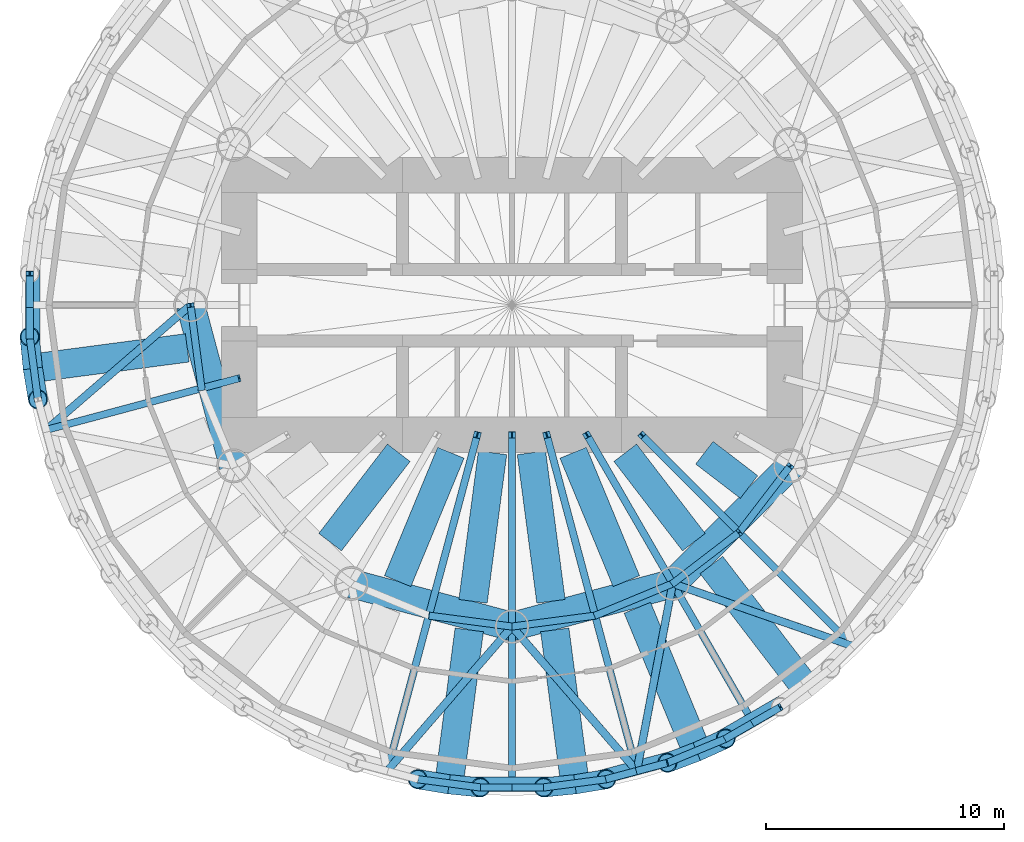
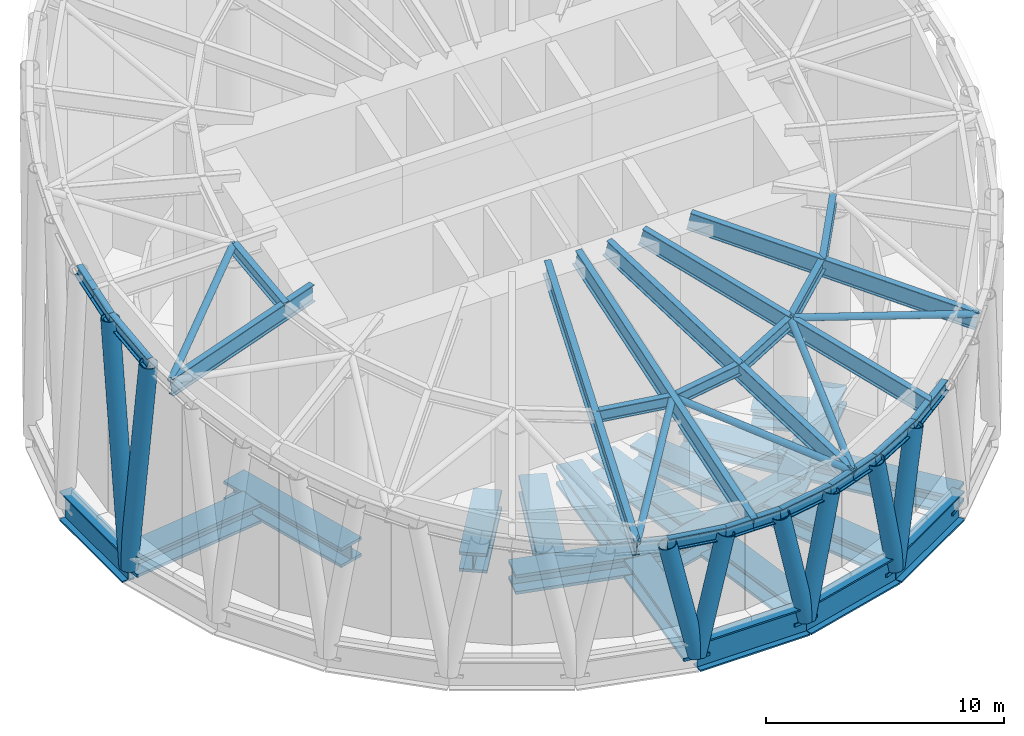
# One storey, part 2 of 9: 44 beams, 13 members.
"""IFC4 building model written with IfcOpenShell, lengths in metres."""

from ifc_helpers import new_model, si_unit, direction, frame, origin, origin_2d, place, context, subcontext, project, spatial, hollow_circle, i_section, extrude, material, material_profile, profile_set, type_object, element, save


model = new_model("IFC4")

# Units and contexts
model_context = context("Model", 3, precision=1e-05, world=origin(), true_north=direction((0.0, 1.0)))
body_context = subcontext(model_context, "Body", "Model", "MODEL_VIEW")
ifc_project = project(units=[si_unit("LENGTHUNIT", "METRE"), si_unit("AREAUNIT", "SQUARE_METRE"), si_unit("VOLUMEUNIT", "CUBIC_METRE"), si_unit("PLANEANGLEUNIT", "RADIAN"), si_unit("MASSUNIT", "GRAM", prefix="KILO")], contexts=[model_context])

# Site, building, storey
site_placement = place(None, origin())
site = spatial("IfcSite", under=ifc_project, at=site_placement, CompositionType="ELEMENT")
building_placement = place(site_placement, origin())
building = spatial("IfcBuilding", under=site, at=building_placement, Name="Qaws Media Tower", CompositionType="ELEMENT")
storey_placement = place(building_placement, frame((0.0, 0.0, 286.39990234375)))
storey = spatial("IfcBuildingStorey", under=building, at=storey_placement, Name="L66", CompositionType="ELEMENT", Elevation=286.39990234375)

# Members
ifc_material_1 = material(Name="Steel S355", Category="steel")
ifc_material_profile_1 = material_profile(ifc_material_1, hollow_circle(Radius=0.406494140625, WallThickness=0.0400390625, at=origin_2d()), Name="CHS 813x40")
ifc_profile_set_1 = profile_set([ifc_material_profile_1], Name="Steel S355")
member_type_1 = type_object("IfcMemberType", Name="Crown diagrid member CHS 813x40", PredefinedType="USERDEFINED", material=ifc_profile_set_1)
member_1_placement = place(storey_placement, frame((39.873779296875, 47.350341796875, -1.0), z_axis=(0.019265030542, -0.116742606072, 0.992975338327), x_axis=(0.986655896054, 0.162819356287, 0.0)))
element("IfcMember", 1, at=member_1_placement, inside=storey, type_object=member_type_1, Name="DG5 crown diagrid A13", ObjectType="DIAGRID", PredefinedType="USERDEFINED", context=body_context, shape_type="SweptSolid", body=[
    extrude(hollow_circle(Radius=0.406494140625, WallThickness=0.0400390625, at=origin_2d()), origin(), (0.0, 0.0, 1.0), 11.22802734375),
])
member_2_placement = place(storey_placement, frame((39.873779296875, 47.350341796875, -1.0), z_axis=(-0.010794170068, 0.109457735806, 0.993932839766), x_axis=(-0.995172725199, -0.098138916945, 0.0)))
element("IfcMember", 2, at=member_2_placement, inside=storey, type_object=member_type_1, Name="DG5 crown diagrid B13", ObjectType="DIAGRID", PredefinedType="USERDEFINED", context=body_context, shape_type="SweptSolid", body=[
    extrude(hollow_circle(Radius=0.406494140625, WallThickness=0.0400390625, at=origin_2d()), origin(), (0.0, 0.0, 1.0), 12.077880859375),
])
member_3_placement = place(storey_placement, frame((57.350341796875, 29.873779296875, -1.0), z_axis=(0.220223902065, -0.021717370952, 0.975207561885), x_axis=(0.098138916945, 0.995172725199, 0.0)))
element("IfcMember", 3, at=member_3_placement, inside=storey, type_object=member_type_1, Name="DG5 crown diagrid A18", ObjectType="DIAGRID", PredefinedType="USERDEFINED", context=body_context, shape_type="SweptSolid", body=[
    extrude(hollow_circle(Radius=0.406494140625, WallThickness=0.0400390625, at=origin_2d()), origin(), (0.0, 0.0, 1.0), 6.003173828125),
])
for number, where, z_axis, x_axis, name in (
    (4, (57.350341796875, 29.873779296875, -1.0), (-0.214430073189, 0.035385555009, 0.976098153983), (-0.162819356287, -0.986655896054, 0.0), "DG5 crown diagrid B18"),
    (5, (62.649658203125, 29.873779296875, -1.0), (0.214430073189, 0.035385555009, 0.976098153983), (-0.162819356287, 0.986655896054, 0.0), "DG5 crown diagrid A19"),
):
    element("IfcMember", number, at=place(storey_placement, frame(where, z_axis=z_axis, x_axis=x_axis)), inside=storey, type_object=member_type_1, Name=name, ObjectType="DIAGRID", PredefinedType="USERDEFINED", context=body_context, shape_type="SweptSolid", body=[
        extrude(hollow_circle(Radius=0.406494140625, WallThickness=0.0400390625, at=origin_2d()), origin(), (0.0, 0.0, 1.0), 6.11279296875),
    ])
member_4_placement = place(storey_placement, frame((62.649658203125, 29.873779296875, -1.0), z_axis=(-0.220223902065, -0.021717370952, 0.975207561885), x_axis=(0.098138916945, -0.995172725199, 0.0)))
element("IfcMember", 6, at=member_4_placement, inside=storey, type_object=member_type_1, Name="DG5 crown diagrid B19", ObjectType="DIAGRID", PredefinedType="USERDEFINED", context=body_context, shape_type="SweptSolid", body=[
    extrude(hollow_circle(Radius=0.406494140625, WallThickness=0.0400390625, at=origin_2d()), origin(), (0.0, 0.0, 1.0), 6.003173828125),
])
member_5_placement = place(storey_placement, frame((67.7685546875, 31.245361328125, -1.0), z_axis=(0.181834427022, 0.082368500538, 0.979873293477), x_axis=(-0.412625538656, 0.910900743687, 0.0)))
element("IfcMember", 7, at=member_5_placement, inside=storey, type_object=member_type_1, Name="DG5 crown diagrid A20", ObjectType="DIAGRID", PredefinedType="USERDEFINED", context=body_context, shape_type="SweptSolid", body=[
    extrude(hollow_circle(Radius=0.406494140625, WallThickness=0.0400390625, at=origin_2d()), origin(), (0.0, 0.0, 1.0), 6.654296875),
])
member_6_placement = place(storey_placement, frame((67.7685546875, 31.245361328125, -1.0), z_axis=(-0.196395214799, -0.073922958329, 0.977734276701), x_axis=(0.352271058645, -0.935898018612, 0.0)))
element("IfcMember", 8, at=member_6_placement, inside=storey, type_object=member_type_1, Name="DG5 crown diagrid B20", ObjectType="DIAGRID", PredefinedType="USERDEFINED", context=body_context, shape_type="SweptSolid", body=[
    extrude(hollow_circle(Radius=0.406494140625, WallThickness=0.0400390625, at=origin_2d()), origin(), (0.0, 0.0, 1.0), 6.3310546875),
])

# Beams
ifc_material_2 = material(Name="Steel S355", Category="steel")
ifc_material_profile_2 = material_profile(ifc_material_2, i_section(OverallWidth=0.304931640625, OverallDepth=0.6201171875, WebThickness=0.02099609375, FlangeThickness=0.0400390625, FilletRadius=0.027099609375, at=origin_2d()), Name="HE 600 M")
ifc_profile_set_2 = profile_set([ifc_material_profile_2], Name="Steel S355")
beam_type_1 = type_object("IfcBeamType", Name="Crown edge beam HE 600 M", PredefinedType="BEAM", material=ifc_profile_set_2)
for number, where, z_axis, x_axis, name in (
    (9, (39.743408203125, 51.32763671875, 11.867431640625), (0.0, -0.951052060329, -0.309030708092), (1.0, 0.0, 0.0), "B5 crown edge beam 24 part a"),
    (10, (39.743408203125, 50.0, 11.43603515625), (0.0, -0.951052060329, -0.309030708092), (1.0, 0.0, 0.0), "B5 crown edge beam 24 part b"),
):
    element("IfcBeam", number, at=place(storey_placement, frame(where, z_axis=z_axis, x_axis=x_axis)), inside=storey, type_object=beam_type_1, Name=name, PredefinedType="BEAM", context=body_context, shape_type="SweptSolid", body=[
        extrude(i_section(OverallWidth=0.304931640625, OverallDepth=0.6201171875, WebThickness=0.02099609375, FlangeThickness=0.0400390625, FilletRadius=0.027099609375, at=origin_2d()), origin(), (0.0, 0.0, 1.0), 1.39599609375),
    ])
beam_1_placement = place(storey_placement, frame((39.743408203125, 48.67236328125, 11.004638671875), z_axis=(0.124261023529, -0.943683716716, -0.306627201722), x_axis=(0.991441774115, 0.130549640138, 0.0)))
element("IfcBeam", 11, at=beam_1_placement, inside=storey, type_object=beam_type_1, Name="B5 crown edge beam 25", PredefinedType="BEAM", context=body_context, shape_type="SweptSolid", body=[
    extrude(i_section(OverallWidth=0.304931640625, OverallDepth=0.6201171875, WebThickness=0.02099609375, FlangeThickness=0.0400390625, FilletRadius=0.027099609375, at=origin_2d()), origin(), (0.0, 0.0, 1.0), 2.7900390625),
])
beam_2_placement = place(storey_placement, frame((56.03955078125, 30.090087890625, 4.966796875), z_axis=(0.990552513352, -0.130432545341, -0.042344650283), x_axis=(0.130549640138, 0.991441774115, 0.0)))
element("IfcBeam", 12, at=beam_2_placement, inside=storey, type_object=beam_type_1, Name="B5 crown edge beam 35", PredefinedType="BEAM", context=body_context, shape_type="SweptSolid", body=[
    extrude(i_section(OverallWidth=0.304931640625, OverallDepth=0.6201171875, WebThickness=0.02099609375, FlangeThickness=0.0400390625, FilletRadius=0.027099609375, at=origin_2d()), origin(), (0.0, 0.0, 1.0), 2.657958984375),
])
for number, where, z_axis, x_axis, name in (
    (13, (58.67236328125, 29.743408203125, 4.854248046875), (1.0, 0.0, 0.0), (0.0, 1.0, 0.0), "B5 crown edge beam 36 part a"),
    (14, (60.0, 29.743408203125, 4.854248046875), (1.0, 0.0, 0.0), (0.0, 1.0, 0.0), "B5 crown edge beam 36 part b"),
):
    element("IfcBeam", number, at=place(storey_placement, frame(where, z_axis=z_axis, x_axis=x_axis)), inside=storey, type_object=beam_type_1, Name=name, PredefinedType="BEAM", context=body_context, shape_type="SweptSolid", body=[
        extrude(i_section(OverallWidth=0.304931640625, OverallDepth=0.6201171875, WebThickness=0.02099609375, FlangeThickness=0.0400390625, FilletRadius=0.027099609375, at=origin_2d()), origin(), (0.0, 0.0, 1.0), 1.32763671875),
    ])
beam_3_placement = place(storey_placement, frame((61.32763671875, 29.743408203125, 4.854248046875), z_axis=(0.990552513352, 0.130432545341, 0.042344650283), x_axis=(-0.130549640138, 0.991441774115, 0.0)))
element("IfcBeam", 15, at=beam_3_placement, inside=storey, type_object=beam_type_1, Name="B5 crown edge beam 37", PredefinedType="BEAM", context=body_context, shape_type="SweptSolid", body=[
    extrude(i_section(OverallWidth=0.304931640625, OverallDepth=0.6201171875, WebThickness=0.02099609375, FlangeThickness=0.0400390625, FilletRadius=0.027099609375, at=origin_2d()), origin(), (0.0, 0.0, 1.0), 2.657958984375),
])
beam_4_placement = place(storey_placement, frame((63.96044921875, 30.090087890625, 4.966796875), z_axis=(0.962544235999, 0.257863621487, 0.083755277199), x_axis=(-0.258772857725, 0.965938200976, 0.0)))
element("IfcBeam", 16, at=beam_4_placement, inside=storey, type_object=beam_type_1, Name="B5 crown edge beam 38 part a", PredefinedType="BEAM", context=body_context, shape_type="SweptSolid", body=[
    extrude(i_section(OverallWidth=0.304931640625, OverallDepth=0.6201171875, WebThickness=0.02099609375, FlangeThickness=0.0400390625, FilletRadius=0.027099609375, at=origin_2d()), origin(), (0.0, 0.0, 1.0), 1.33203125),
])
beam_5_placement = place(storey_placement, frame((65.24267578125, 30.43359375, 5.078369140625), z_axis=(0.962497434168, 0.257985225073, 0.083918489406), x_axis=(-0.258898457701, 0.965904544249, 0.0)))
element("IfcBeam", 17, at=beam_5_placement, inside=storey, type_object=beam_type_1, Name="B5 crown edge beam 38 part b", PredefinedType="BEAM", context=body_context, shape_type="SweptSolid", body=[
    extrude(i_section(OverallWidth=0.304931640625, OverallDepth=0.6201171875, WebThickness=0.02099609375, FlangeThickness=0.0400390625, FilletRadius=0.027099609375, at=origin_2d()), origin(), (0.0, 0.0, 1.0), 1.33251953125),
])
beam_6_placement = place(storey_placement, frame((66.525146484375, 30.77734375, 5.190185546875), z_axis=(0.916837778434, 0.379727220006, 0.123352042635), x_axis=(-0.382649524099, 0.923893577046, 0.0)))
element("IfcBeam", 18, at=beam_6_placement, inside=storey, type_object=beam_type_1, Name="B5 crown edge beam 39", PredefinedType="BEAM", context=body_context, shape_type="SweptSolid", body=[
    extrude(i_section(OverallWidth=0.304931640625, OverallDepth=0.6201171875, WebThickness=0.02099609375, FlangeThickness=0.0400390625, FilletRadius=0.027099609375, at=origin_2d()), origin(), (0.0, 0.0, 1.0), 2.67578125),
])
beam_7_placement = place(storey_placement, frame((68.978515625, 31.79345703125, 5.520263671875), z_axis=(0.854782842826, 0.493555861042, 0.160464649195), x_axis=(-0.500035527442, 0.866004891035, 0.0)))
element("IfcBeam", 19, at=beam_7_placement, inside=storey, type_object=beam_type_1, Name="B5 crown edge beam 40 part a", PredefinedType="BEAM", context=body_context, shape_type="SweptSolid", body=[
    extrude(i_section(OverallWidth=0.304931640625, OverallDepth=0.6201171875, WebThickness=0.02099609375, FlangeThickness=0.0400390625, FilletRadius=0.027099609375, at=origin_2d()), origin(), (0.0, 0.0, 1.0), 1.344970703125),
])
beam_8_placement = place(storey_placement, frame((70.128173828125, 32.457275390625, 5.736083984375), z_axis=(0.854856602064, 0.493493652019, 0.16026292561), x_axis=(-0.499955901382, 0.866050862637, 0.0)))
element("IfcBeam", 20, at=beam_8_placement, inside=storey, type_object=beam_type_1, Name="B5 crown edge beam 40 part b", PredefinedType="BEAM", context=body_context, shape_type="SweptSolid", body=[
    extrude(i_section(OverallWidth=0.304931640625, OverallDepth=0.6201171875, WebThickness=0.02099609375, FlangeThickness=0.0400390625, FilletRadius=0.027099609375, at=origin_2d()), origin(), (0.0, 0.0, 1.0), 1.34521484375),
])
ifc_material_3 = material(Name="Steel S355", Category="steel")
ifc_material_profile_3 = material_profile(ifc_material_3, i_section(OverallWidth=0.300048828125, OverallDepth=0.89990234375, WebThickness=0.0185546875, FlangeThickness=0.034912109375, FilletRadius=0.030029296875, at=origin_2d()), Name="HE 900 B")
ifc_profile_set_3 = profile_set([ifc_material_profile_3], Name="Steel S355")
beam_type_2 = type_object("IfcBeamType", Name="Crown rafter HE 900 B", PredefinedType="BEAM", material=ifc_profile_set_3)
beam_9_placement = place(storey_placement, frame((48.550048828125, 46.931884765625, 10.300537109375), z_axis=(-0.962533823149, -0.257882050317, -0.083818180719), x_axis=(0.258792725137, -0.965932878318, 0.0)))
element("IfcBeam", 21, at=beam_9_placement, inside=storey, type_object=beam_type_2, Name="B4 crown rafter 14", PredefinedType="BEAM", context=body_context, shape_type="SweptSolid", body=[
    extrude(i_section(OverallWidth=0.300048828125, OverallDepth=0.89990234375, WebThickness=0.0185546875, FlangeThickness=0.034912109375, FilletRadius=0.030029296875, at=origin_2d()), origin(), (0.0, 0.0, 1.0), 8.432373046875),
])
beam_10_placement = place(storey_placement, frame((58.539794921875, 44.550048828125, 9.541015625), z_axis=(-0.246941480977, -0.921603522336, -0.299444239535), x_axis=(0.965926203228, -0.258817638343, 0.0)))
element("IfcBeam", 22, at=beam_10_placement, inside=storey, type_object=beam_type_2, Name="B4 crown rafter 18", PredefinedType="BEAM", context=body_context, shape_type="SweptSolid", body=[
    extrude(i_section(OverallWidth=0.300048828125, OverallDepth=0.89990234375, WebThickness=0.0185546875, FlangeThickness=0.034912109375, FilletRadius=0.030029296875, at=origin_2d()), origin(), (0.0, 0.0, 1.0), 15.3173828125),
])
beam_11_placement = place(storey_placement, frame((60.0, 44.550048828125, 9.552001953125), z_axis=(0.0, -0.951055270728, -0.309020827809), x_axis=(1.0, 0.0, 0.0)))
element("IfcBeam", 23, at=beam_11_placement, inside=storey, type_object=beam_type_2, Name="B4 crown rafter 19", PredefinedType="BEAM", context=body_context, shape_type="SweptSolid", body=[
    extrude(i_section(OverallWidth=0.300048828125, OverallDepth=0.89990234375, WebThickness=0.0185546875, FlangeThickness=0.034912109375, FilletRadius=0.030029296875, at=origin_2d()), origin(), (0.0, 0.0, 1.0), 15.568603515625),
])
beam_12_placement = place(storey_placement, frame((61.460205078125, 44.550048828125, 9.541015625), z_axis=(0.246941480977, -0.921603522336, -0.299444239535), x_axis=(0.965926203228, 0.258817638343, 0.0)))
element("IfcBeam", 24, at=beam_12_placement, inside=storey, type_object=beam_type_2, Name="B4 crown rafter 20", PredefinedType="BEAM", context=body_context, shape_type="SweptSolid", body=[
    extrude(i_section(OverallWidth=0.300048828125, OverallDepth=0.89990234375, WebThickness=0.0185546875, FlangeThickness=0.034912109375, FilletRadius=0.030029296875, at=origin_2d()), origin(), (0.0, 0.0, 1.0), 15.3173828125),
])
beam_13_placement = place(storey_placement, frame((63.146484375, 44.550048828125, 9.533203125), z_axis=(0.48130603486, -0.83365564635, -0.270855614889), x_axis=(0.8660277775, 0.499995888581, 0.0)))
element("IfcBeam", 25, at=beam_13_placement, inside=storey, type_object=beam_type_2, Name="B4 crown rafter 21", PredefinedType="BEAM", context=body_context, shape_type="SweptSolid", body=[
    extrude(i_section(OverallWidth=0.300048828125, OverallDepth=0.89990234375, WebThickness=0.0185546875, FlangeThickness=0.034912109375, FilletRadius=0.030029296875, at=origin_2d()), origin(), (0.0, 0.0, 1.0), 14.505615234375),
])
beam_14_placement = place(storey_placement, frame((65.449951171875, 44.550048828125, 9.529052734375), z_axis=(0.689150386307, -0.689150386307, -0.223927421512), x_axis=(0.707106781187, 0.707106781187, 0.0)))
element("IfcBeam", 26, at=beam_14_placement, inside=storey, type_object=beam_type_2, Name="B4 crown rafter 22", PredefinedType="BEAM", context=body_context, shape_type="SweptSolid", body=[
    extrude(i_section(OverallWidth=0.300048828125, OverallDepth=0.89990234375, WebThickness=0.0185546875, FlangeThickness=0.034912109375, FilletRadius=0.030029296875, at=origin_2d()), origin(), (0.0, 0.0, 1.0), 12.8759765625),
])

# Members
ifc_material_4 = material(Name="Steel S355", Category="steel")
ifc_material_profile_4 = material_profile(ifc_material_4, hollow_circle(Radius=0.161865234375, WallThickness=0.01611328125, at=origin_2d()), Name="CHS 323.9x16")
ifc_profile_set_4 = profile_set([ifc_material_profile_4], Name="Steel S355")
member_type_2 = type_object("IfcMemberType", Name="Crown roof brace CHS 323.9x16", PredefinedType="BRACE", material=ifc_profile_set_4)
member_7_placement = place(storey_placement, frame((46.5, 50.0, 11.625732421875), z_axis=(-0.740085083102, -0.639592203579, -0.207836192446), x_axis=(0.653870348393, -0.756606613434, 0.0)))
element("IfcMember", 27, at=member_7_placement, inside=storey, type_object=member_type_2, Name="CB1 crown roof brace 13", PredefinedType="BRACE", context=body_context, shape_type="SweptSolid", body=[
    extrude(hollow_circle(Radius=0.161865234375, WallThickness=0.01611328125, at=origin_2d()), origin(), (0.0, 0.0, 1.0), 8.197021484375),
])
for number, where, z_axis, x_axis, name in (
    (28, (60.0, 36.5, 7.2392578125), (-0.634967301877, -0.734733515742, -0.238711512902), (0.756606613434, -0.653870348393, 0.0), "CB1 crown roof brace 18"),
    (29, (60.0, 36.5, 7.2392578125), (0.634967301877, -0.734733515742, -0.238711512902), (0.756606613434, 0.653870348393, 0.0), "CB1 crown roof brace 19"),
):
    element("IfcMember", number, at=place(storey_placement, frame(where, z_axis=z_axis, x_axis=x_axis)), inside=storey, type_object=member_type_2, Name=name, PredefinedType="BRACE", context=body_context, shape_type="SweptSolid", body=[
        extrude(hollow_circle(Radius=0.161865234375, WallThickness=0.01611328125, at=origin_2d()), origin(), (0.0, 0.0, 1.0), 8.256591796875),
    ])
member_8_placement = place(storey_placement, frame((66.75, 38.30859375, 7.826904296875), z_axis=(-0.179095894444, -0.935684673011, -0.304004692868), x_axis=(0.982170267086, -0.187993527685, 0.0)))
element("IfcMember", 30, at=member_8_placement, inside=storey, type_object=member_type_2, Name="CB1 crown roof brace 20", PredefinedType="BRACE", context=body_context, shape_type="SweptSolid", body=[
    extrude(hollow_circle(Radius=0.161865234375, WallThickness=0.01611328125, at=origin_2d()), origin(), (0.0, 0.0, 1.0), 8.416259765625),
])
member_9_placement = place(storey_placement, frame((66.75, 38.30859375, 7.826904296875), z_axis=(0.939252911687, -0.32642679607, -0.106063729398), x_axis=(0.328278505443, 0.944580977399, 0.0)))
element("IfcMember", 31, at=member_9_placement, inside=storey, type_object=member_type_2, Name="CB1 crown roof brace 21", PredefinedType="BRACE", context=body_context, shape_type="SweptSolid", body=[
    extrude(hollow_circle(Radius=0.161865234375, WallThickness=0.01611328125, at=origin_2d()), origin(), (0.0, 0.0, 1.0), 8.063232421875),
])

# Beams
ifc_material_5 = material(Name="Steel S355", Category="steel")
ifc_material_profile_5 = material_profile(ifc_material_5, i_section(OverallWidth=0.300048828125, OverallDepth=0.60009765625, WebThickness=0.015380859375, FlangeThickness=0.030029296875, FilletRadius=0.027099609375, at=origin_2d()), Name="HE 600 B")
ifc_profile_set_5 = profile_set([ifc_material_profile_5], Name="Steel S355")
beam_type_3 = type_object("IfcBeamType", Name="Crown tie ring HE 600 B", PredefinedType="BEAM", material=ifc_profile_set_5)
beam_15_placement = place(storey_placement, frame((46.5, 50.0, 11.474365234375), z_axis=(0.124225849898, -0.943694460585, -0.306608387488), x_axis=(0.991446748745, 0.130511855411, 0.0)))
element("IfcBeam", 32, at=beam_15_placement, inside=storey, type_object=beam_type_3, Name="B17 crown tie ring 13", PredefinedType="BEAM", context=body_context, shape_type="SweptSolid", body=[
    extrude(i_section(OverallWidth=0.300048828125, OverallDepth=0.60009765625, WebThickness=0.015380859375, FlangeThickness=0.030029296875, FilletRadius=0.027099609375, at=origin_2d()), origin(), (0.0, 0.0, 1.0), 3.70263671875),
])
for number, where, z_axis, x_axis, name in (
    (33, (56.505859375, 36.9599609375, 7.21044921875), (0.990556942584, -0.130394723297, -0.042357521581), (0.130511855411, 0.991446748745, 0.0), "B17 crown tie ring 18"),
    (34, (60.0, 36.5, 7.06103515625), (0.990556942584, 0.130394723297, 0.042357521581), (-0.130511855411, 0.991446748745, 0.0), "B17 crown tie ring 19"),
):
    element("IfcBeam", number, at=place(storey_placement, frame(where, z_axis=z_axis, x_axis=x_axis)), inside=storey, type_object=beam_type_3, Name=name, PredefinedType="BEAM", context=body_context, shape_type="SweptSolid", body=[
        extrude(i_section(OverallWidth=0.300048828125, OverallDepth=0.60009765625, WebThickness=0.015380859375, FlangeThickness=0.030029296875, FilletRadius=0.027099609375, at=origin_2d()), origin(), (0.0, 0.0, 1.0), 3.52734375),
    ])
beam_16_placement = place(storey_placement, frame((63.494140625, 36.9599609375, 7.211669921875), z_axis=(0.9168169605, 0.379761314472, 0.123401802947), x_axis=(-0.382686266672, 0.923878358498, 0.0)))
element("IfcBeam", 35, at=beam_16_placement, inside=storey, type_object=beam_type_3, Name="B17 crown tie ring 20", PredefinedType="BEAM", context=body_context, shape_type="SweptSolid", body=[
    extrude(i_section(OverallWidth=0.300048828125, OverallDepth=0.60009765625, WebThickness=0.015380859375, FlangeThickness=0.030029296875, FilletRadius=0.027099609375, at=origin_2d()), origin(), (0.0, 0.0, 1.0), 3.55126953125),
])
beam_17_placement = place(storey_placement, frame((66.75, 38.30859375, 7.65283203125), z_axis=(0.778258787913, 0.597217798479, 0.194021030343), x_axis=(-0.608786340099, 0.793334224718, 0.0)))
element("IfcBeam", 36, at=beam_17_placement, inside=storey, type_object=beam_type_3, Name="B17 crown tie ring 21", PredefinedType="BEAM", context=body_context, shape_type="SweptSolid", body=[
    extrude(i_section(OverallWidth=0.300048828125, OverallDepth=0.60009765625, WebThickness=0.015380859375, FlangeThickness=0.030029296875, FilletRadius=0.027099609375, at=origin_2d()), origin(), (0.0, 0.0, 1.0), 3.592529296875),
])
beam_18_placement = place(storey_placement, frame((69.5458984375, 40.4541015625, 8.354736328125), z_axis=(0.589515811886, 0.768222016126, 0.249611781523), x_axis=(-0.793334224718, 0.608786340099, 0.0)))
element("IfcBeam", 37, at=beam_18_placement, inside=storey, type_object=beam_type_3, Name="B17 crown tie ring 22", PredefinedType="BEAM", context=body_context, shape_type="SweptSolid", body=[
    extrude(i_section(OverallWidth=0.300048828125, OverallDepth=0.60009765625, WebThickness=0.015380859375, FlangeThickness=0.030029296875, FilletRadius=0.027099609375, at=origin_2d()), origin(), (0.0, 0.0, 1.0), 3.639404296875),
])
ifc_material_6 = material(Name="Steel S460", Category="steel")
ifc_material_profile_6 = material_profile(ifc_material_6, i_section(OverallWidth=0.60009765625, OverallDepth=1.5, WebThickness=0.030029296875, FlangeThickness=0.080078125, at=origin_2d()), Name="PG 1500x600")
ifc_profile_set_6 = profile_set([ifc_material_profile_6], Name="Steel S460")
beam_type_4 = type_object("IfcBeamType", Name="Edge ring beam PG 1500x600", PredefinedType="BEAM", material=ifc_profile_set_6)
for number, where, z_axis, x_axis, name in (
    (38, (39.873779296875, 52.649658203125, -1.0), (0.0, -1.0, 0.0), (1.0, 0.0, 0.0), "RB5 edge ring beam L66-12"),
    (39, (57.350341796875, 29.873779296875, -1.0), (1.0, 0.0, 0.0), (0.0, 1.0, 0.0), "RB5 edge ring beam L66-18"),
):
    element("IfcBeam", number, at=place(storey_placement, frame(where, z_axis=z_axis, x_axis=x_axis)), inside=storey, type_object=beam_type_4, Name=name, PredefinedType="BEAM", context=body_context, shape_type="SweptSolid", body=[
        extrude(i_section(OverallWidth=0.60009765625, OverallDepth=1.5, WebThickness=0.030029296875, FlangeThickness=0.080078125, at=origin_2d()), origin(), (0.0, 0.0, 1.0), 5.29931640625),
    ])
beam_19_placement = place(storey_placement, frame((62.649658203125, 29.873779296875, -1.0), z_axis=(0.965926871098, 0.258815145792, 0.0), x_axis=(-0.258815145792, 0.965926871098, 0.0)))
element("IfcBeam", 40, at=beam_19_placement, inside=storey, type_object=beam_type_4, Name="RB5 edge ring beam L66-19", PredefinedType="BEAM", context=body_context, shape_type="SweptSolid", body=[
    extrude(i_section(OverallWidth=0.60009765625, OverallDepth=1.5, WebThickness=0.030029296875, FlangeThickness=0.080078125, at=origin_2d()), origin(), (0.0, 0.0, 1.0), 5.299560546875),
])
beam_20_placement = place(storey_placement, frame((67.7685546875, 31.245361328125, -1.0), z_axis=(0.866026009438, 0.499998950975, 0.0), x_axis=(-0.499998950975, 0.866026009438, 0.0)))
element("IfcBeam", 41, at=beam_20_placement, inside=storey, type_object=beam_type_4, Name="RB5 edge ring beam L66-20", PredefinedType="BEAM", context=body_context, shape_type="SweptSolid", body=[
    extrude(i_section(OverallWidth=0.60009765625, OverallDepth=1.5, WebThickness=0.030029296875, FlangeThickness=0.080078125, at=origin_2d()), origin(), (0.0, 0.0, 1.0), 5.29931640625),
])
ifc_material_7 = material(Name="Steel S460", Category="steel")
ifc_material_profile_7 = material_profile(ifc_material_7, i_section(OverallWidth=1.199951171875, OverallDepth=1.0, WebThickness=0.06005859375, FlangeThickness=0.14990234375, at=origin_2d()), Name="PG 1000x1200")
ifc_profile_set_7 = profile_set([ifc_material_profile_7], Name="Steel S460")
beam_type_5 = type_object("IfcBeamType", Name="Inner ring girder PG 1000x1200", PredefinedType="BEAM", material=ifc_profile_set_7)
for number, where, z_axis, x_axis, name in (
    (42, (46.5, 50.0, -0.75), (0.258810593767, -0.965928090778, 0.0), (0.965928090778, 0.258810593767, 0.0), "B3 inner ring beam L66 I07-I08"),
    (43, (53.25, 38.30859375, -0.75), (0.965928090778, -0.258810593767, 0.0), (0.258810593767, 0.965928090778, 0.0), "B3 inner ring beam L66 I09-I10"),
    (44, (60.0, 36.5, -0.75), (0.965928090778, 0.258810593767, 0.0), (-0.258810593767, 0.965928090778, 0.0), "B3 inner ring beam L66 I10-I11"),
):
    element("IfcBeam", number, at=place(storey_placement, frame(where, z_axis=z_axis, x_axis=x_axis)), inside=storey, type_object=beam_type_5, Name=name, PredefinedType="BEAM", context=body_context, shape_type="SweptSolid", body=[
        extrude(i_section(OverallWidth=1.199951171875, OverallDepth=1.0, WebThickness=0.06005859375, FlangeThickness=0.14990234375, at=origin_2d()), origin(), (0.0, 0.0, 1.0), 6.988037109375),
    ])
beam_21_placement = place(storey_placement, frame((66.75, 38.30859375, -0.75), z_axis=(0.707106781187, 0.707106781187, 0.0), x_axis=(-0.707106781187, 0.707106781187, 0.0)))
element("IfcBeam", 45, at=beam_21_placement, inside=storey, type_object=beam_type_5, Name="B3 inner ring beam L66 I11-I12", PredefinedType="BEAM", context=body_context, shape_type="SweptSolid", body=[
    extrude(i_section(OverallWidth=1.199951171875, OverallDepth=1.0, WebThickness=0.06005859375, FlangeThickness=0.14990234375, at=origin_2d()), origin(), (0.0, 0.0, 1.0), 6.98828125),
])
ifc_material_8 = material(Name="Steel S355", Category="steel")
ifc_material_profile_8 = material_profile(ifc_material_8, i_section(OverallWidth=1.199951171875, OverallDepth=1.0, WebThickness=0.06005859375, FlangeThickness=0.14990234375, at=origin_2d()), Name="PG 1000x1200")
ifc_profile_set_8 = profile_set([ifc_material_profile_8], Name="Steel S355")
beam_type_6 = type_object("IfcBeamType", Name="Plant floor beam PG 1000x1200", PredefinedType="BEAM", material=ifc_profile_set_8)
beam_22_placement = place(storey_placement, frame((46.360107421875, 48.204345703125, -0.75), z_axis=(-0.991443622909, -0.130535598951, 0.0), x_axis=(0.130535598951, -0.991443622909, 0.0)))
element("IfcBeam", 46, at=beam_22_placement, inside=storey, type_object=beam_type_6, Name="B1 radial beam L66 13", PredefinedType="BEAM", context=body_context, shape_type="SweptSolid", body=[
    extrude(i_section(OverallWidth=1.199951171875, OverallDepth=1.0, WebThickness=0.06005859375, FlangeThickness=0.14990234375, at=origin_2d()), origin(), (0.0, 0.0, 1.0), 6.542236328125),
])
beam_23_placement = place(storey_placement, frame((55.24267578125, 43.800048828125, -0.75), z_axis=(-0.608770463512, -0.793346407791, 0.0), x_axis=(0.793346407791, -0.608770463512, 0.0)))
element("IfcBeam", 47, at=beam_23_placement, inside=storey, type_object=beam_type_6, Name="B6 radial beam L66 16", PredefinedType="BEAM", context=body_context, shape_type="SweptSolid", body=[
    extrude(i_section(OverallWidth=1.199951171875, OverallDepth=1.0, WebThickness=0.06005859375, FlangeThickness=0.14990234375, at=origin_2d()), origin(), (0.0, 0.0, 1.0), 4.732666015625),
])
beam_24_placement = place(storey_placement, frame((57.431884765625, 43.800048828125, -0.75), z_axis=(-0.382692895409, -0.923875612733, 0.0), x_axis=(0.923875612733, -0.382692895409, 0.0)))
element("IfcBeam", 48, at=beam_24_placement, inside=storey, type_object=beam_type_6, Name="B6 radial beam L66 17", PredefinedType="BEAM", context=body_context, shape_type="SweptSolid", body=[
    extrude(i_section(OverallWidth=1.199951171875, OverallDepth=1.0, WebThickness=0.06005859375, FlangeThickness=0.14990234375, at=origin_2d()), origin(), (0.0, 0.0, 1.0), 5.836669921875),
])
beam_25_placement = place(storey_placement, frame((58.204345703125, 36.360107421875, -0.75), z_axis=(-0.130535598951, -0.991443622909, 0.0), x_axis=(0.991443622909, -0.130535598951, 0.0)))
element("IfcBeam", 49, at=beam_25_placement, inside=storey, type_object=beam_type_6, Name="B1 radial beam L66 18", PredefinedType="BEAM", context=body_context, shape_type="SweptSolid", body=[
    extrude(i_section(OverallWidth=1.199951171875, OverallDepth=1.0, WebThickness=0.06005859375, FlangeThickness=0.14990234375, at=origin_2d()), origin(), (0.0, 0.0, 1.0), 6.542236328125),
])
beam_26_placement = place(storey_placement, frame((59.183837890625, 43.800048828125, -0.75), z_axis=(-0.130529769311, -0.991444390434, 0.0), x_axis=(0.991444390434, -0.130529769311, 0.0)))
element("IfcBeam", 50, at=beam_26_placement, inside=storey, type_object=beam_type_6, Name="B6 radial beam L66 18", PredefinedType="BEAM", context=body_context, shape_type="SweptSolid", body=[
    extrude(i_section(OverallWidth=1.199951171875, OverallDepth=1.0, WebThickness=0.06005859375, FlangeThickness=0.14990234375, at=origin_2d()), origin(), (0.0, 0.0, 1.0), 6.2939453125),
])
beam_27_placement = place(storey_placement, frame((61.795654296875, 36.360107421875, -0.75), z_axis=(0.130535598951, -0.991443622909, 0.0), x_axis=(0.991443622909, 0.130535598951, 0.0)))
element("IfcBeam", 51, at=beam_27_placement, inside=storey, type_object=beam_type_6, Name="B1 radial beam L66 19", PredefinedType="BEAM", context=body_context, shape_type="SweptSolid", body=[
    extrude(i_section(OverallWidth=1.199951171875, OverallDepth=1.0, WebThickness=0.06005859375, FlangeThickness=0.14990234375, at=origin_2d()), origin(), (0.0, 0.0, 1.0), 6.542236328125),
])
beam_28_placement = place(storey_placement, frame((60.816162109375, 43.800048828125, -0.75), z_axis=(0.130529769311, -0.991444390434, 0.0), x_axis=(0.991444390434, 0.130529769311, 0.0)))
element("IfcBeam", 52, at=beam_28_placement, inside=storey, type_object=beam_type_6, Name="B6 radial beam L66 19", PredefinedType="BEAM", context=body_context, shape_type="SweptSolid", body=[
    extrude(i_section(OverallWidth=1.199951171875, OverallDepth=1.0, WebThickness=0.06005859375, FlangeThickness=0.14990234375, at=origin_2d()), origin(), (0.0, 0.0, 1.0), 6.2939453125),
])
beam_29_placement = place(storey_placement, frame((65.264892578125, 37.28955078125, -0.75), z_axis=(0.382693460725, -0.923875378565, 0.0), x_axis=(0.923875378565, 0.382693460725, 0.0)))
element("IfcBeam", 53, at=beam_29_placement, inside=storey, type_object=beam_type_6, Name="B1 radial beam L66 20", PredefinedType="BEAM", context=body_context, shape_type="SweptSolid", body=[
    extrude(i_section(OverallWidth=1.199951171875, OverallDepth=1.0, WebThickness=0.06005859375, FlangeThickness=0.14990234375, at=origin_2d()), origin(), (0.0, 0.0, 1.0), 6.542236328125),
])
beam_30_placement = place(storey_placement, frame((62.568115234375, 43.800048828125, -0.75), z_axis=(0.382692895409, -0.923875612733, 0.0), x_axis=(0.923875612733, 0.382692895409, 0.0)))
element("IfcBeam", 54, at=beam_30_placement, inside=storey, type_object=beam_type_6, Name="B6 radial beam L66 20", PredefinedType="BEAM", context=body_context, shape_type="SweptSolid", body=[
    extrude(i_section(OverallWidth=1.199951171875, OverallDepth=1.0, WebThickness=0.06005859375, FlangeThickness=0.14990234375, at=origin_2d()), origin(), (0.0, 0.0, 1.0), 5.836669921875),
])
beam_31_placement = place(storey_placement, frame((68.375244140625, 39.085205078125, -0.75), z_axis=(0.608770720094, -0.793346210904, 0.0), x_axis=(0.793346210904, 0.608770720094, 0.0)))
element("IfcBeam", 55, at=beam_31_placement, inside=storey, type_object=beam_type_6, Name="B1 radial beam L66 21", PredefinedType="BEAM", context=body_context, shape_type="SweptSolid", body=[
    extrude(i_section(OverallWidth=1.199951171875, OverallDepth=1.0, WebThickness=0.06005859375, FlangeThickness=0.14990234375, at=origin_2d()), origin(), (0.0, 0.0, 1.0), 6.542236328125),
])
beam_32_placement = place(storey_placement, frame((64.75732421875, 43.800048828125, -0.75), z_axis=(0.608770463512, -0.793346407791, 0.0), x_axis=(0.793346407791, 0.608770463512, 0.0)))
element("IfcBeam", 56, at=beam_32_placement, inside=storey, type_object=beam_type_6, Name="B6 radial beam L66 21", PredefinedType="BEAM", context=body_context, shape_type="SweptSolid", body=[
    extrude(i_section(OverallWidth=1.199951171875, OverallDepth=1.0, WebThickness=0.06005859375, FlangeThickness=0.14990234375, at=origin_2d()), origin(), (0.0, 0.0, 1.0), 4.732666015625),
])
beam_33_placement = place(storey_placement, frame((68.080078125, 43.800048828125, -0.75), z_axis=(0.793330215724, -0.608791564346, 0.0), x_axis=(0.608791564346, 0.793330215724, 0.0)))
element("IfcBeam", 57, at=beam_33_placement, inside=storey, type_object=beam_type_6, Name="B6 radial beam L66 22", PredefinedType="BEAM", context=body_context, shape_type="SweptSolid", body=[
    extrude(i_section(OverallWidth=1.199951171875, OverallDepth=1.0, WebThickness=0.06005859375, FlangeThickness=0.14990234375, at=origin_2d()), origin(), (0.0, 0.0, 1.0), 2.36279296875),
])

save(model, "model.ifc")
